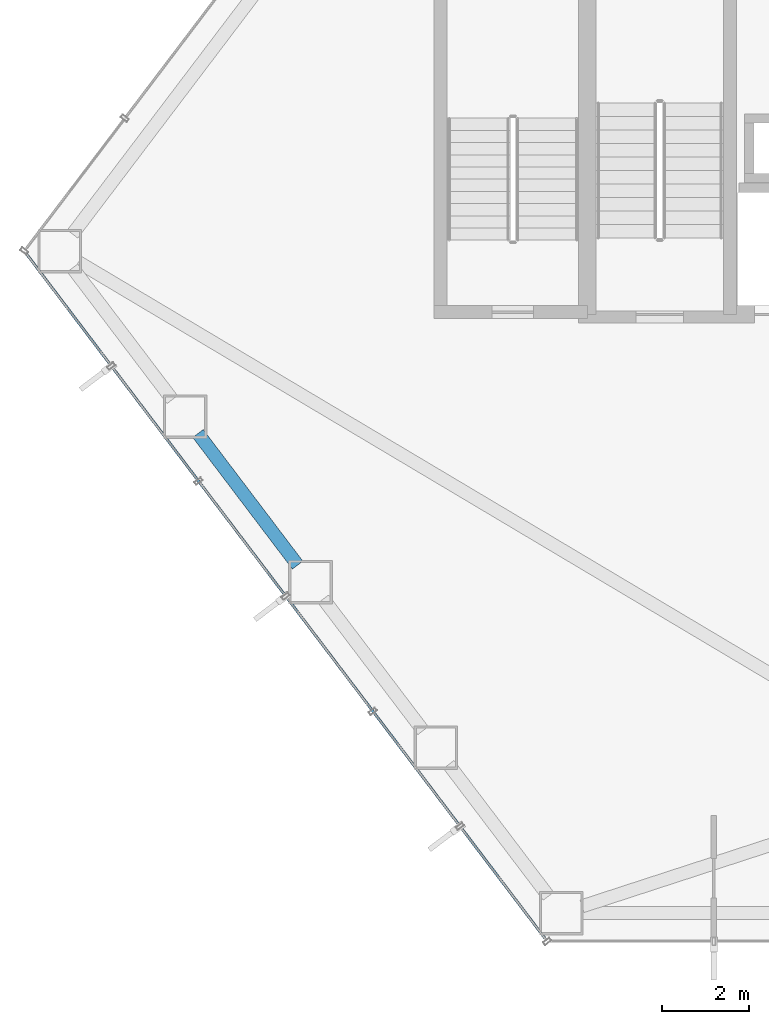
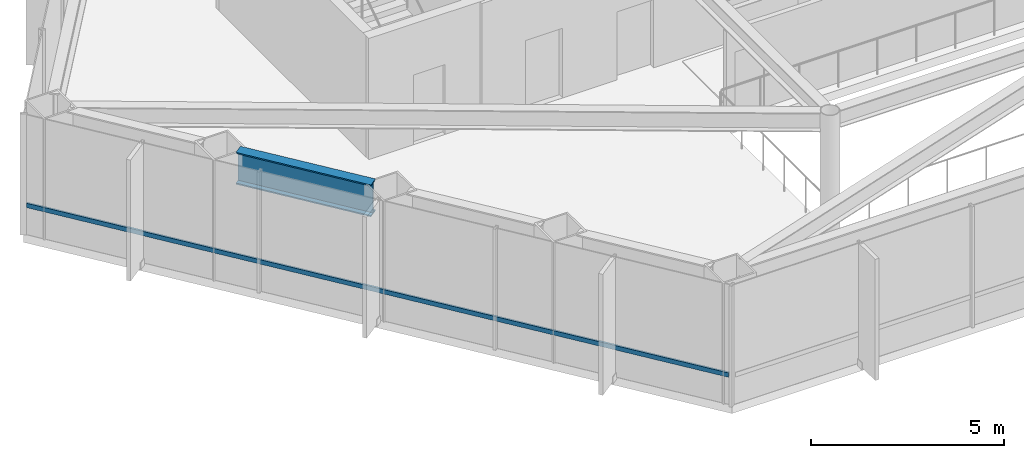
# One storey, part 3 of 25: 1 beam, 1 member, 1 element without a shape of its own.
"""IFC4 building model written with IfcOpenShell, lengths in metres."""

from ifc_helpers import new_model, si_unit, direction, frame, origin, origin_2d, place, context, subcontext, project, spatial, hollow_rectangle, i_section, extrude, material, layer, layer_set, material_profile, profile_set, type_object, element, aggregate, save


model = new_model("IFC4")

# Units and contexts
model_context = context("Model", 3, precision=1e-05, world=origin(), true_north=direction((0.0, 1.0)))
body_context = subcontext(model_context, "Body", "Model", "MODEL_VIEW")
ifc_project = project(units=[si_unit("LENGTHUNIT", "METRE"), si_unit("AREAUNIT", "SQUARE_METRE"), si_unit("VOLUMEUNIT", "CUBIC_METRE"), si_unit("PLANEANGLEUNIT", "RADIAN"), si_unit("MASSUNIT", "GRAM", prefix="KILO")], contexts=[model_context])

# Site, building, storey
site_placement = place(None, origin())
site = spatial("IfcSite", under=ifc_project, at=site_placement, CompositionType="ELEMENT")
building_placement = place(site_placement, origin())
building = spatial("IfcBuilding", under=site, at=building_placement, Name="Zarrinselat Tower", CompositionType="ELEMENT")
storey_placement = place(building_placement, frame((0.0, 0.0, 52.02001953125)))
storey = spatial("IfcBuildingStorey", under=building, at=storey_placement, Name="L12", CompositionType="ELEMENT", Elevation=52.02001953125)

# Beam
ifc_material_1 = material(Name="Steel S460M", Category="steel")
ifc_material_profile_1 = material_profile(ifc_material_1, i_section(OverallWidth=0.302001953125, OverallDepth=1.008056640625, WebThickness=0.02099609375, FlangeThickness=0.0400390625, at=origin_2d()), Name="HEM 1000")
ifc_profile_set_1 = profile_set([ifc_material_profile_1], Name="Steel S460M")
beam_type = type_object("IfcBeamType", Name="BM-HEM1000", PredefinedType="BEAM", material=ifc_profile_set_1)
beam_placement = place(storey_placement, frame((19.6640625, 30.515625, 3.31591796875), z_axis=(0.603839076561, -0.797106247384, 0.0), x_axis=(0.797106247384, 0.603839076561, 0.0)))
element("IfcBeam", 1, at=beam_placement, inside=storey, type_object=beam_type, Name="L12 Perimeter Spandrel Girder SP07", PredefinedType="BEAM", context=body_context, shape_type="SweptSolid", body=[
    extrude(i_section(OverallWidth=0.302001953125, OverallDepth=1.008056640625, WebThickness=0.02099609375, FlangeThickness=0.0400390625, at=origin_2d()), origin(), (0.0, 0.0, 1.0), 3.788330078125),
])

# Curtain wall, member
ifc_material_2 = material(Name="Extruded Aluminium Alloy EN AW-6063 T6", Category="aluminium")
ifc_layer = layer(ifc_material_2, 0.18505859375)
ifc_layer_set = layer_set([ifc_layer], Name="Extruded Aluminium Alloy EN AW-6063 T6")
curtain_wall_type = type_object("IfcCurtainWallType", Name="CWS-OFF", PredefinedType="NOTDEFINED", material=ifc_layer_set)
curtain_wall_placement = place(storey_placement, origin())
curtain_wall = element("IfcCurtainWall", 2, at=curtain_wall_placement, inside=storey, type_object=curtain_wall_type, Name="L12 Unitised Curtain Wall CW-L12-E03", PredefinedType="NOTDEFINED")
ifc_material_3 = material(Name="Extruded Aluminium Alloy EN AW-6063 T6", Category="aluminium")
ifc_material_profile_2 = material_profile(ifc_material_3, hollow_rectangle(XDim=0.06005859375, YDim=0.139892578125, WallThickness=0.00390625, at=origin_2d()), Name="RHS 140x60x4")
ifc_profile_set_2 = profile_set([ifc_material_profile_2], Name="Extruded Aluminium Alloy EN AW-6063 T6")
member_type = type_object("IfcMemberType", Name="MEM-CW-TRN", PredefinedType="USERDEFINED", material=ifc_profile_set_2)
member_placement = place(storey_placement, frame((15.731201171875, 34.630615234375, 0.949951171875), z_axis=(0.603856971935, -0.797092690623, 0.0), x_axis=(0.797092690623, 0.603856971935, 0.0)))
member = element("IfcMember", 3, at=member_placement, type_object=member_type, Name="CW-L12-E03 Transom 1", ObjectType="TRANSOM", PredefinedType="USERDEFINED", context=body_context, shape_type="SweptSolid", body=[
    extrude(hollow_rectangle(XDim=0.06005859375, YDim=0.139892578125, WallThickness=0.00390625, at=origin_2d()), origin(), (0.0, 0.0, 1.0), 19.693115234375),
])
aggregate(curtain_wall, [member])

save(model, "model.ifc")
